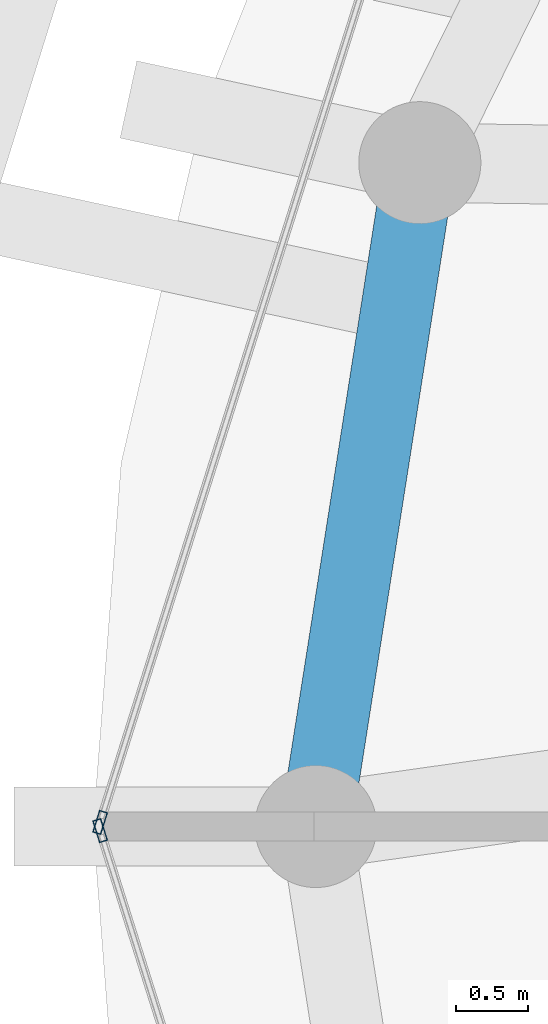
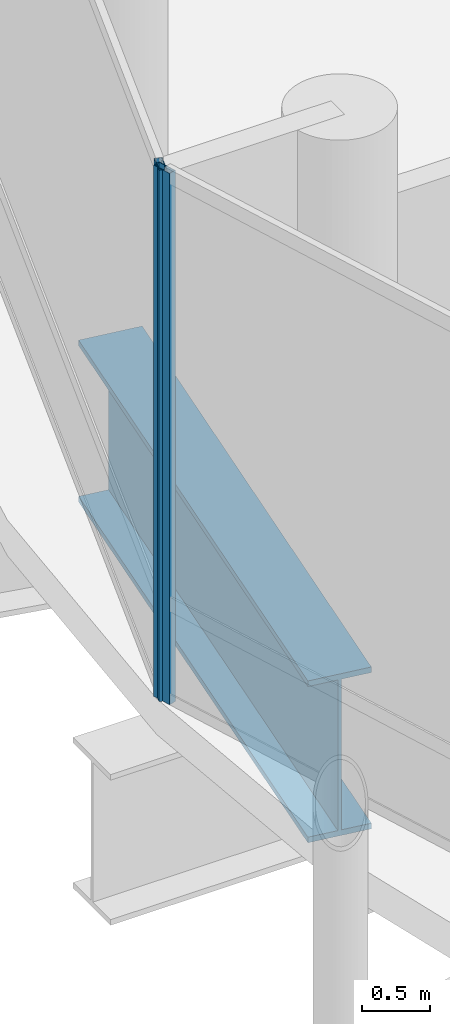
# One storey, part 6 of 31: 2 members, 1 beam, 2 elements without a shape of their own.
"""IFC4 building model written with IfcOpenShell, lengths in metres."""

from ifc_helpers import new_model, si_unit, direction, frame, origin, origin_2d, place, context, subcontext, project, spatial, hollow_rectangle, i_section, extrude, material, layer, layer_set, material_profile, profile_set, type_object, element, aggregate, save


model = new_model("IFC4")

# Units and contexts
model_context = context("Model", 3, precision=1e-05, world=origin(), true_north=direction((0.0, 1.0)))
body_context = subcontext(model_context, "Body", "Model", "MODEL_VIEW")
ifc_project = project(units=[si_unit("LENGTHUNIT", "METRE"), si_unit("AREAUNIT", "SQUARE_METRE"), si_unit("VOLUMEUNIT", "CUBIC_METRE"), si_unit("PLANEANGLEUNIT", "RADIAN"), si_unit("MASSUNIT", "GRAM", prefix="KILO")], contexts=[model_context])

# Site, building, storey
site_placement = place(None, origin())
site = spatial("IfcSite", under=ifc_project, at=site_placement, CompositionType="ELEMENT")
building_placement = place(site_placement, origin())
building = spatial("IfcBuilding", under=site, at=building_placement, Name="Nuhasar Tower", CompositionType="ELEMENT")
storey_placement = place(building_placement, frame((0.0, 0.0, 203.14990234375)))
storey = spatial("IfcBuildingStorey", under=building, at=storey_placement, Name="L49", CompositionType="ELEMENT", Elevation=203.14990234375)

# Beam
ifc_material_1 = material(Name="Steel S460", Category="steel")
ifc_material_profile_1 = material_profile(ifc_material_1, i_section(OverallWidth=0.5, OverallDepth=1.449951171875, WebThickness=0.028076171875, FlangeThickness=0.050048828125, at=origin_2d()), Name="PG1450X500")
ifc_profile_set_1 = profile_set([ifc_material_profile_1], Name="Steel S460")
beam_type = type_object("IfcBeamType", Name="BM-XFER-PG1450", PredefinedType="USERDEFINED", material=ifc_profile_set_1)
beam_placement = place(storey_placement, frame((18.47412109375, 31.419921875, -1.044921875), z_axis=(-0.154849872935, -0.987938012657, 0.0), x_axis=(0.987938012657, -0.154849872935, 0.0)))
element("IfcBeam", 1, at=beam_placement, inside=storey, type_object=beam_type, Name="L49 Perimeter Ring Spandrel 12", ObjectType="GIRDER", PredefinedType="USERDEFINED", context=body_context, shape_type="SweptSolid", body=[
    extrude(i_section(OverallWidth=0.5, OverallDepth=1.449951171875, WebThickness=0.028076171875, FlangeThickness=0.050048828125, at=origin_2d()), origin(), (0.0, 0.0, 1.0), 4.67626953125),
])

# Curtain wall, member
ifc_material_2 = material(Name="Aluminium 6063-T6", Category="aluminium")
ifc_layer = layer(ifc_material_2, 0.239990234375)
ifc_layer_set = layer_set([ifc_layer], Name="Aluminium 6063-T6")
curtain_wall_type = type_object("IfcCurtainWallType", Name="CW-SKY-LBY", PredefinedType="NOTDEFINED", material=ifc_layer_set)
curtain_wall_1_placement = place(storey_placement, origin())
curtain_wall_1 = element("IfcCurtainWall", 2, at=curtain_wall_1_placement, inside=storey, type_object=curtain_wall_type, Name="L49 Unitised Curtain Wall 06", PredefinedType="NOTDEFINED")
ifc_material_profile_2 = material_profile(ifc_material_2, hollow_rectangle(XDim=0.06005859375, YDim=0.159912109375, WallThickness=0.0048828125, at=origin_2d()), Name="CWM-6")
ifc_profile_set_2 = profile_set([ifc_material_profile_2], Name="Aluminium 6063-T6")
member_type = type_object("IfcMemberType", Name="CW-MUL-S6", PredefinedType="MULLION", material=ifc_profile_set_2)
member_1_placement = place(storey_placement, frame((16.2490234375, 26.82861328125, 0.0), z_axis=(0.0, 0.0, 1.0), x_axis=(0.95380429279, -0.30042864553, 0.0)))
member_1 = element("IfcMember", 3, at=member_1_placement, type_object=member_type, Name="CW-SL mullion 2", PredefinedType="MULLION", context=body_context, shape_type="SweptSolid", body=[
    extrude(hollow_rectangle(XDim=0.06005859375, YDim=0.159912109375, WallThickness=0.0048828125, at=origin_2d()), origin(), (0.0, 0.0, 1.0), 4.760009765625),
])
aggregate(curtain_wall_1, [member_1])

curtain_wall_2_placement = place(storey_placement, origin())
curtain_wall_2 = element("IfcCurtainWall", 4, at=curtain_wall_2_placement, inside=storey, type_object=curtain_wall_type, Name="L49 Unitised Curtain Wall 07", PredefinedType="NOTDEFINED")
member_2_placement = place(storey_placement, frame((16.2490234375, 26.771484375, 0.0), z_axis=(0.0, 0.0, 1.0), x_axis=(0.95380429279, 0.30042864553, 0.0)))
member_2 = element("IfcMember", 5, at=member_2_placement, type_object=member_type, Name="CW-SL mullion 1", PredefinedType="MULLION", context=body_context, shape_type="SweptSolid", body=[
    extrude(hollow_rectangle(XDim=0.06005859375, YDim=0.159912109375, WallThickness=0.0048828125, at=origin_2d()), origin(), (0.0, 0.0, 1.0), 4.760009765625),
])
aggregate(curtain_wall_2, [member_2])

save(model, "model.ifc")
